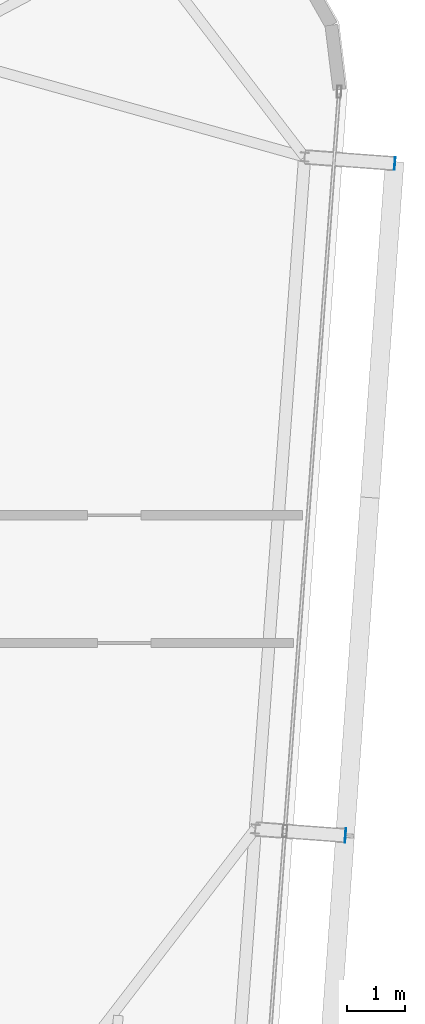
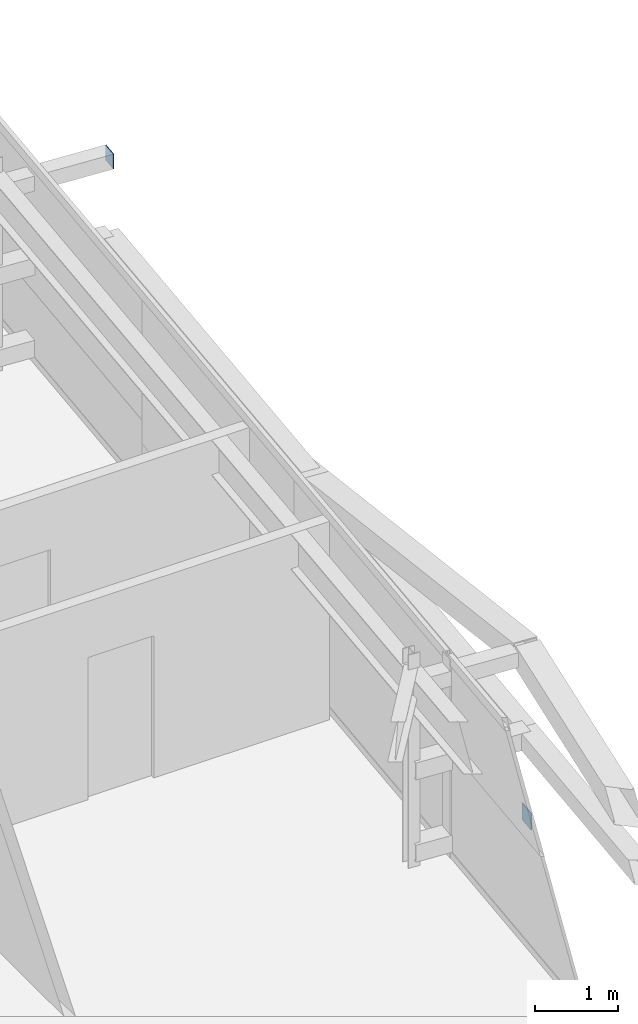
# One storey, part 28 of 34: 2 plates.
"""IFC4 building model written with IfcOpenShell, lengths in metres."""

from ifc_helpers import new_model, si_unit, direction, frame, origin, origin_2d, place, context, subcontext, project, spatial, rectangle, extrude, source, transform, mapped, material, layer, layer_set, type_object, element, save


model = new_model("IFC4")

# Units and contexts
model_context = context("Model", 3, precision=1e-05, world=origin(), true_north=direction((0.0, 1.0)))
body_context = subcontext(model_context, "Body", "Model", "MODEL_VIEW")
ifc_project = project(units=[si_unit("LENGTHUNIT", "METRE"), si_unit("AREAUNIT", "SQUARE_METRE"), si_unit("VOLUMEUNIT", "CUBIC_METRE"), si_unit("PLANEANGLEUNIT", "RADIAN"), si_unit("MASSUNIT", "GRAM", prefix="KILO")], contexts=[model_context])

# Site, building, storey
site_placement = place(None, origin())
site = spatial("IfcSite", under=ifc_project, at=site_placement, CompositionType="ELEMENT")
building_placement = place(site_placement, origin())
building = spatial("IfcBuilding", under=site, at=building_placement, Name="Taldren Reach Tower", CompositionType="ELEMENT")
storey_placement = place(building_placement, frame((0.0, 0.0, 242.89990234375)))
storey = spatial("IfcBuildingStorey", under=building, at=storey_placement, Name="L74", CompositionType="ELEMENT", Elevation=242.89990234375)

# Plates
ifc_material_1 = material(Name="Steel Gr 350 (C350L0)", Category="steel")
ifc_layer_1 = layer(ifc_material_1, 0.011962890625)
ifc_layer_set_1 = layer_set([ifc_layer_1], Name="Steel Gr 350 (C350L0)")
plate_type_1 = type_object("IfcPlateType", Name="PL-CAP-250", PredefinedType="SHEET", material=ifc_layer_set_1)
shared_shape_1 = source(origin(), body_context, "Body", "SweptSolid", [
    extrude(rectangle(XDim=0.011962890625, YDim=0.25, at=origin_2d()), origin(), (0.0, 0.0, 1.0), 0.25),
])
plate_1_placement = place(storey_placement, frame((58.2431640625, 18.48583984375, 0.09521484375), z_axis=(0.0, 0.0, 1.0), x_axis=(0.997314477224, -0.073238197128, 0.0)))
element("IfcPlate", 1, at=plate_1_placement, inside=storey, type_object=plate_type_1, Name="Tie strut end cap plate B5-E2 L74", PredefinedType="SHEET", context=body_context, shape_type="MappedRepresentation", body=[
    mapped(shared_shape_1, transform((0.0, 0.0, 0.0), scale=1.0)),
])
ifc_material_2 = material(Name="Steel Gr 450 (C450L0)", Category="steel")
ifc_layer_2 = layer(ifc_material_2, 0.011962890625)
ifc_layer_set_2 = layer_set([ifc_layer_2], Name="Steel Gr 450 (C450L0)")
plate_type_2 = type_object("IfcPlateType", Name="PL-CAP-220", PredefinedType="SHEET", material=ifc_layer_set_2)
shared_shape_2 = source(origin(), body_context, "Body", "SweptSolid", [
    extrude(rectangle(XDim=0.011962890625, YDim=0.219970703125, at=origin_2d()), origin(), (0.0, 0.0, 1.0), 0.219970703125),
])
plate_2_placement = place(storey_placement, frame((59.0927734375, 30.0546875, 2.5400390625), z_axis=(0.0, 0.0, 1.0), x_axis=(0.997314477224, -0.073238197128, 0.0)))
element("IfcPlate", 2, at=plate_2_placement, inside=storey, type_object=plate_type_2, Name="Tie strut end cap plate B5-E3 L74", PredefinedType="SHEET", context=body_context, shape_type="MappedRepresentation", body=[
    mapped(shared_shape_2, transform((0.0, 0.0, 0.0), scale=1.0)),
])

save(model, "model.ifc")
